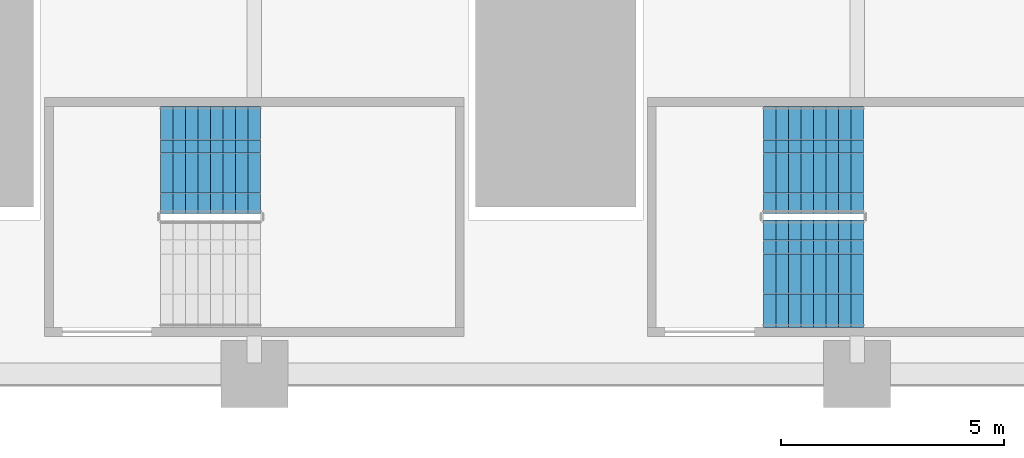
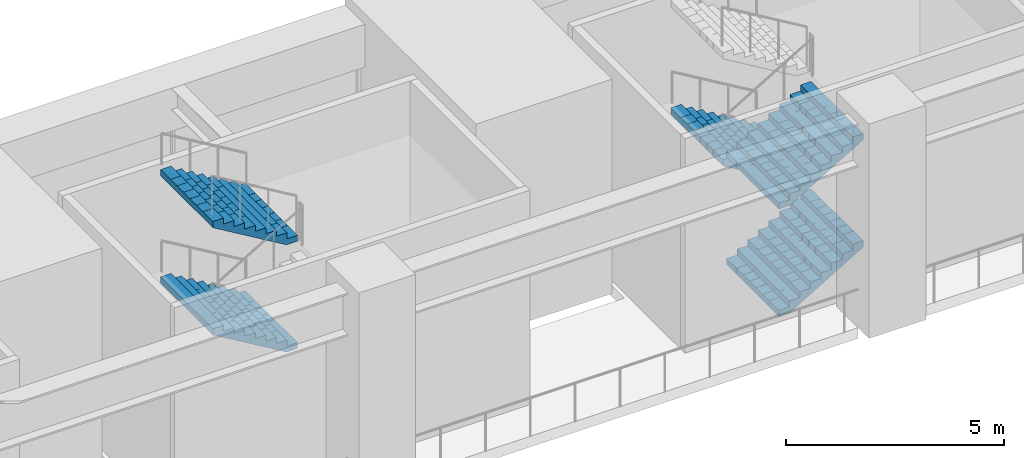
# One storey, part 33 of 43: 5 stair flights, 2 elements without a shape of their own.
"""IFC4 building model written with IfcOpenShell, lengths in metres."""

import ifcopenshell
import ifcopenshell.guid

model = None  # the IFC model being written
_history = None  # IfcOwnerHistory: only IFC2X3 demands one
_inside = {}  # id of a spatial element -> (the spatial element, [elements in it])
_under = {}  # id of a project, library or spatial element -> (it, [spatial elements below it])
_declared = {}  # id of a project -> (the project, [libraries it declares])
_typed = {}  # id of a type object -> (the type object, [elements of that type])
_made_of = {}  # id of a material, layer set ... -> (it, [elements and type objects made of it])


def new_model(schema):
    """Start an empty IFC model of exactly this schema.

    Asked for "IFC4X3", IfcOpenShell would pick the latest addendum, in which some entities
    have other attributes; the version numbers below select the first issue.
    IFC2X3 requires an IfcOwnerHistory on every rooted entity: one is made here for all.
    """
    global model, _history
    if schema == "IFC4X3":
        model = ifcopenshell.file(schema_version=(4, 3, 0, 0))
    else:
        model = ifcopenshell.file(schema=schema)
    _inside.clear()
    _under.clear()
    _declared.clear()
    _typed.clear()
    _made_of.clear()
    _history = None
    if model.schema == "IFC2X3":
        org = make("IfcOrganization", Name="unknown")
        user = make(
            "IfcPersonAndOrganization",
            ThePerson=make("IfcPerson", FamilyName="unknown"),
            TheOrganization=org,
        )
        app = make(
            "IfcApplication",
            ApplicationDeveloper=org,
            Version="unknown",
            ApplicationFullName="unknown",
            ApplicationIdentifier="unknown",
        )
        _history = make(
            "IfcOwnerHistory",
            OwningUser=user,
            OwningApplication=app,
            ChangeAction="ADDED",
            CreationDate=0,
        )
    return model


def make(cls, **values):
    """One entity of the class cls with the attributes given. An attribute that is None is left unset."""
    return model.create_entity(
        cls, **{name: value for name, value in values.items() if value is not None}
    )


def rooted(cls, **values):
    """An entity with a GlobalId (a new one), such as an element, a storey or a relation."""
    return make(cls, GlobalId=ifcopenshell.guid.new(), OwnerHistory=_history, **values)


def si_unit(unit_type, name, prefix=None):
    """IfcSIUnit, for example si_unit("LENGTHUNIT", "METRE", prefix="MILLI")."""
    return make("IfcSIUnit", UnitType=unit_type, Prefix=prefix, Name=name)


def assignment(units):
    """IfcUnitAssignment: the units of a project."""
    return None if units is None else make("IfcUnitAssignment", Units=units)


def point(xyz):
    """IfcCartesianPoint."""
    return None if xyz is None else make("IfcCartesianPoint", Coordinates=xyz)


def direction(xyz):
    """IfcDirection."""
    return None if xyz is None else make("IfcDirection", DirectionRatios=xyz)


def frame(location, z_axis=None, x_axis=None):
    """IfcAxis2Placement3D, a coordinate frame: its origin and axes. An axis left out is left unset."""
    return make(
        "IfcAxis2Placement3D",
        Location=point(location),
        Axis=direction(z_axis),
        RefDirection=direction(x_axis),
    )


def origin():
    """The frame at (0, 0, 0) with its axes left unset."""
    return frame((0.0, 0.0, 0.0))


def place(relative_to, where):
    """IfcLocalPlacement: puts the frame where relative to a parent placement (None: the world)."""
    return make(
        "IfcLocalPlacement", PlacementRelTo=relative_to, RelativePlacement=where
    )


def context(
    kind, dimensions, precision=None, world=None, true_north=None, identifier=None
):
    """IfcGeometricRepresentationContext, for example the 3D "Model" context."""
    return make(
        "IfcGeometricRepresentationContext",
        ContextIdentifier=identifier,
        ContextType=kind,
        CoordinateSpaceDimension=dimensions,
        Precision=precision,
        WorldCoordinateSystem=world,
        TrueNorth=true_north,
    )


def subcontext(parent, identifier, kind, view, scale=None):
    """IfcGeometricRepresentationSubContext, for example "Body" below "Model"."""
    return make(
        "IfcGeometricRepresentationSubContext",
        ContextIdentifier=identifier,
        ContextType=kind,
        ParentContext=parent,
        TargetScale=scale,
        TargetView=view,
    )


def project(units=None, contexts=None):
    """IfcProject with its units and contexts."""
    return rooted(
        "IfcProject",
        Name="project",
        RepresentationContexts=contexts,
        UnitsInContext=assignment(units),
    )


def spatial(cls, under=None, at=None, **own):
    """A site, building, storey or space (cls), placed at a placement, below another one or the project."""
    s = rooted(cls, ObjectPlacement=at, **own)
    if under is not None:
        _under.setdefault(under.id(), (under, []))[1].append(s)
    return s


def polyline(points):
    """IfcPolyline through the points."""
    return make("IfcPolyline", Points=[point(p) for p in points])


def outline(outer, holes=None, kind="AREA"):
    """IfcArbitraryClosedProfileDef: a profile drawn as a closed curve; with holes, ...WithVoids."""
    if holes is None:
        return make("IfcArbitraryClosedProfileDef", ProfileType=kind, OuterCurve=outer)
    return make(
        "IfcArbitraryProfileDefWithVoids",
        ProfileType=kind,
        OuterCurve=outer,
        InnerCurves=holes,
    )


def extrude(swept, where, along, depth):
    """IfcExtrudedAreaSolid: the profile swept, set in the frame where, extruded along a direction by depth."""
    return make(
        "IfcExtrudedAreaSolid",
        SweptArea=swept,
        Position=where,
        ExtrudedDirection=direction(along),
        Depth=depth,
    )


def shape(context_of_items, identifier, shape_type, items):
    """IfcShapeRepresentation: the items that make up one representation, for example the "Body"."""
    return make(
        "IfcShapeRepresentation",
        ContextOfItems=context_of_items,
        RepresentationIdentifier=identifier,
        RepresentationType=shape_type,
        Items=items,
    )


def material(Name=None, Category=None):
    """IfcMaterial."""
    return make("IfcMaterial", Name=Name, Category=Category)


def made_of(thing, what):
    """Note that an element or type object is made of a material, layer set ...; save() writes the relation."""
    if what is not None:
        _made_of.setdefault(what.id(), (what, []))[1].append(thing)
    return thing


def type_object(cls, material=None, **own):
    """A type object (cls), such as IfcWallType, which elements share."""
    return made_of(rooted(cls, **own), material)


def element(
    cls,
    number,
    at=None,
    inside=None,
    cuts=None,
    type_object=None,
    material=None,
    context=None,
    identifier="Body",
    shape_type=None,
    held_by="IfcProductDefinitionShape",
    body=None,
    shapes=None,
    **own,
):
    """One element of the class cls, such as IfcWall. Its Tag is "e" and its number.

    at: its placement. inside: the storey or other place that contains it. cuts: it is an
    opening in that element (IfcRelVoidsElement). A single representation is given by context,
    identifier, shape_type and body (its items); several are given by shapes. held_by: the class
    of the entity that holds the representations. save() writes the other relations.
    """
    e = rooted(cls, Tag="e%d" % number, ObjectPlacement=at, **own)
    if body is not None:
        shapes = [shape(context, identifier, shape_type, body)]
    if shapes is not None:
        e.Representation = make(held_by, Representations=shapes)
    if inside is not None:
        _inside.setdefault(inside.id(), (inside, []))[1].append(e)
    if cuts is not None:
        rooted(
            "IfcRelVoidsElement", RelatingBuildingElement=cuts, RelatedOpeningElement=e
        )
    if type_object is not None:
        _typed.setdefault(type_object.id(), (type_object, []))[1].append(e)
    return made_of(e, material)


def aggregate(whole, parts):
    """IfcRelAggregates: a whole, such as a stair, and the parts it consists of."""
    return rooted("IfcRelAggregates", RelatingObject=whole, RelatedObjects=parts)


def save(model, path):
    """Write the relations noted so far, then the file.

    IfcRelAggregates (storeys below a building ...), IfcRelContainedInSpatialStructure (elements
    in a storey), IfcRelDefinesByType, IfcRelAssociatesMaterial and IfcRelDeclares: one each for
    every whole, place, type object, material and project.
    """
    for whole, parts in _under.values():
        aggregate(whole, parts)
    for where, things in _inside.values():
        rooted(
            "IfcRelContainedInSpatialStructure",
            RelatedElements=things,
            RelatingStructure=where,
        )
    for kind, things in _typed.values():
        rooted("IfcRelDefinesByType", RelatedObjects=things, RelatingType=kind)
    for what, things in _made_of.values():
        rooted("IfcRelAssociatesMaterial", RelatedObjects=things, RelatingMaterial=what)
    for by, libraries in _declared.values():
        rooted("IfcRelDeclares", RelatingContext=by, RelatedDefinitions=libraries)
    model.write(path)


model = new_model("IFC4")

# Units and contexts
model_context = context("Model", 3, precision=1e-05, world=origin(), true_north=direction((0.0, 1.0)))
body_context = subcontext(model_context, "Body", "Model", "MODEL_VIEW")
ifc_project = project(units=[si_unit("LENGTHUNIT", "METRE"), si_unit("AREAUNIT", "SQUARE_METRE"), si_unit("VOLUMEUNIT", "CUBIC_METRE"), si_unit("PLANEANGLEUNIT", "RADIAN"), si_unit("MASSUNIT", "GRAM", prefix="KILO")], contexts=[model_context])

# Site, building, storey
site_placement = place(None, origin())
site = spatial("IfcSite", under=ifc_project, at=site_placement, CompositionType="ELEMENT")
building_placement = place(site_placement, origin())
building = spatial("IfcBuilding", under=site, at=building_placement, Name="Corbelhall Arena Tower", CompositionType="ELEMENT")
storey_placement = place(building_placement, frame((0.0, 0.0, 25.0)))
storey = spatial("IfcBuildingStorey", under=building, at=storey_placement, Name="L03", CompositionType="ELEMENT", Elevation=25.0)

# Stair, stair flights
ifc_material = material(Name="Reinforced concrete C40/50", Category="concrete")
stair_type = type_object("IfcStairType", Name="AR-EXIT-STAIR", PredefinedType="HALF_TURN_STAIR", material=ifc_material)
stair_1_placement = place(storey_placement, origin())
stair_1 = element("IfcStair", 1, at=stair_1_placement, inside=storey, type_object=stair_type, Name="L03 exit stair AS11", PredefinedType="HALF_TURN_STAIR")
stair_flight_type = type_object("IfcStairFlightType", Name="AR-EXIT-FLIGHT", PredefinedType="STRAIGHT", material=ifc_material)
stair_flight_1_placement = place(storey_placement, frame((6.889892578125, 34.050048828125, 1.5), z_axis=(0.0, 0.0, 1.0), x_axis=(-1.0, 0.0, 0.0)))
stair_flight_1 = element("IfcStairFlight", 2, at=stair_flight_1_placement, type_object=stair_flight_type, Name="AS11 flight 2", NumberOfRisers=9, NumberOfTreads=8, PredefinedType="STRAIGHT", RiserHeight=0.166666667, TreadLength=0.28, context=body_context, shape_type="SweptSolid", body=[
    extrude(outline(polyline([(0.0, 0.0), (0.0, 0.166748046875), (0.280029296875, 0.166748046875), (0.280029296875, 0.333251953125), (0.56005859375, 0.333251953125), (0.56005859375, 0.5), (0.840087890625, 0.5), (0.840087890625, 0.666748046875), (1.1201171875, 0.666748046875), (1.1201171875, 0.833251953125), (1.39990234375, 0.833251953125), (1.39990234375, 1.0), (1.679931640625, 1.0), (1.679931640625, 1.166748046875), (1.9599609375, 1.166748046875), (1.9599609375, 1.333251953125), (2.239990234375, 1.333251953125), (2.239990234375, 1.5), (2.239990234375, 1.158935546875), (0.29296875, 0.0), (0.0, 0.0)])), frame((0.0, 1.199951171875, 0.0), z_axis=(0.0, -1.0, 0.0), x_axis=(1.0, 0.0, 0.0)), (0.0, 0.0, 1.0), 0.449951171875),
    extrude(outline(polyline([(0.0, 0.0), (0.0, 0.166748046875), (0.280029296875, 0.166748046875), (0.280029296875, 0.333251953125), (0.56005859375, 0.333251953125), (0.56005859375, 0.5), (0.840087890625, 0.5), (0.840087890625, 0.666748046875), (1.1201171875, 0.666748046875), (1.1201171875, 0.833251953125), (1.39990234375, 0.833251953125), (1.39990234375, 1.0), (1.679931640625, 1.0), (1.679931640625, 1.166748046875), (1.9599609375, 1.166748046875), (1.9599609375, 1.333251953125), (2.239990234375, 1.333251953125), (2.239990234375, 1.5), (2.239990234375, 1.158935546875), (0.29296875, 0.0), (0.0, 0.0)])), frame((0.0, 0.745849609375, 0.0), z_axis=(0.0, -1.0, 0.0), x_axis=(1.0, 0.0, 0.0)), (0.0, 0.0, 1.0), 0.295166015625),
    extrude(outline(polyline([(0.0, 0.0), (0.0, 0.166748046875), (0.280029296875, 0.166748046875), (0.280029296875, 0.333251953125), (0.56005859375, 0.333251953125), (0.56005859375, 0.5), (0.840087890625, 0.5), (0.840087890625, 0.666748046875), (1.1201171875, 0.666748046875), (1.1201171875, 0.833251953125), (1.39990234375, 0.833251953125), (1.39990234375, 1.0), (1.679931640625, 1.0), (1.679931640625, 1.166748046875), (1.9599609375, 1.166748046875), (1.9599609375, 1.333251953125), (2.239990234375, 1.333251953125), (2.239990234375, 1.5), (2.239990234375, 1.158935546875), (0.29296875, 0.0), (0.0, 0.0)])), frame((0.0, 0.44677734375, 0.0), z_axis=(0.0, -1.0, 0.0), x_axis=(1.0, 0.0, 0.0)), (0.0, 0.0, 1.0), 0.295166015625),
    extrude(outline(polyline([(0.0, 0.0), (0.0, 0.166748046875), (0.280029296875, 0.166748046875), (0.280029296875, 0.333251953125), (0.56005859375, 0.333251953125), (0.56005859375, 0.5), (0.840087890625, 0.5), (0.840087890625, 0.666748046875), (1.1201171875, 0.666748046875), (1.1201171875, 0.833251953125), (1.39990234375, 0.833251953125), (1.39990234375, 1.0), (1.679931640625, 1.0), (1.679931640625, 1.166748046875), (1.9599609375, 1.166748046875), (1.9599609375, 1.333251953125), (2.239990234375, 1.333251953125), (2.239990234375, 1.5), (2.239990234375, 1.158935546875), (0.29296875, 0.0), (0.0, 0.0)])), frame((0.0, 0.147705078125, 0.0), z_axis=(0.0, -1.0, 0.0), x_axis=(1.0, 0.0, 0.0)), (0.0, 0.0, 1.0), 0.295166015625),
    extrude(outline(polyline([(0.0, 0.0), (0.0, 0.166748046875), (0.280029296875, 0.166748046875), (0.280029296875, 0.333251953125), (0.56005859375, 0.333251953125), (0.56005859375, 0.5), (0.840087890625, 0.5), (0.840087890625, 0.666748046875), (1.1201171875, 0.666748046875), (1.1201171875, 0.833251953125), (1.39990234375, 0.833251953125), (1.39990234375, 1.0), (1.679931640625, 1.0), (1.679931640625, 1.166748046875), (1.9599609375, 1.166748046875), (1.9599609375, 1.333251953125), (2.239990234375, 1.333251953125), (2.239990234375, 1.5), (2.239990234375, 1.158935546875), (0.29296875, 0.0), (0.0, 0.0)])), frame((0.0, -0.151611328125, 0.0), z_axis=(0.0, -1.0, 0.0), x_axis=(1.0, 0.0, 0.0)), (0.0, 0.0, 1.0), 0.295166015625),
    extrude(outline(polyline([(0.0, 0.0), (0.0, 0.166748046875), (0.280029296875, 0.166748046875), (0.280029296875, 0.333251953125), (0.56005859375, 0.333251953125), (0.56005859375, 0.5), (0.840087890625, 0.5), (0.840087890625, 0.666748046875), (1.1201171875, 0.666748046875), (1.1201171875, 0.833251953125), (1.39990234375, 0.833251953125), (1.39990234375, 1.0), (1.679931640625, 1.0), (1.679931640625, 1.166748046875), (1.9599609375, 1.166748046875), (1.9599609375, 1.333251953125), (2.239990234375, 1.333251953125), (2.239990234375, 1.5), (2.239990234375, 1.158935546875), (0.29296875, 0.0), (0.0, 0.0)])), frame((0.0, -0.45068359375, 0.0), z_axis=(0.0, -1.0, 0.0), x_axis=(1.0, 0.0, 0.0)), (0.0, 0.0, 1.0), 0.295166015625),
    extrude(outline(polyline([(0.0, 0.0), (0.0, 0.166748046875), (0.280029296875, 0.166748046875), (0.280029296875, 0.333251953125), (0.56005859375, 0.333251953125), (0.56005859375, 0.5), (0.840087890625, 0.5), (0.840087890625, 0.666748046875), (1.1201171875, 0.666748046875), (1.1201171875, 0.833251953125), (1.39990234375, 0.833251953125), (1.39990234375, 1.0), (1.679931640625, 1.0), (1.679931640625, 1.166748046875), (1.9599609375, 1.166748046875), (1.9599609375, 1.333251953125), (2.239990234375, 1.333251953125), (2.239990234375, 1.5), (2.239990234375, 1.158935546875), (0.29296875, 0.0), (0.0, 0.0)])), frame((0.0, -0.75, 0.0), z_axis=(0.0, -1.0, 0.0), x_axis=(1.0, 0.0, 0.0)), (0.0, 0.0, 1.0), 0.449951171875),
])
stair_flight_2_placement = place(storey_placement, frame((6.889892578125, 34.050048828125, 4.5), z_axis=(0.0, 0.0, 1.0), x_axis=(-1.0, 0.0, 0.0)))
stair_flight_2 = element("IfcStairFlight", 3, at=stair_flight_2_placement, type_object=stair_flight_type, Name="AS11 flight 4", NumberOfRisers=9, NumberOfTreads=8, PredefinedType="STRAIGHT", RiserHeight=0.166666667, TreadLength=0.28, context=body_context, shape_type="SweptSolid", body=[
    extrude(outline(polyline([(0.0, 0.0), (0.0, 0.166748046875), (0.280029296875, 0.166748046875), (0.280029296875, 0.333251953125), (0.56005859375, 0.333251953125), (0.56005859375, 0.5), (0.840087890625, 0.5), (0.840087890625, 0.666748046875), (1.1201171875, 0.666748046875), (1.1201171875, 0.833251953125), (1.39990234375, 0.833251953125), (1.39990234375, 1.0), (1.679931640625, 1.0), (1.679931640625, 1.166748046875), (1.9599609375, 1.166748046875), (1.9599609375, 1.333251953125), (2.239990234375, 1.333251953125), (2.239990234375, 1.5), (2.239990234375, 1.158935546875), (0.29296875, 0.0), (0.0, 0.0)])), frame((0.0, 1.199951171875, 0.0), z_axis=(0.0, -1.0, 0.0), x_axis=(1.0, 0.0, 0.0)), (0.0, 0.0, 1.0), 0.449951171875),
    extrude(outline(polyline([(0.0, 0.0), (0.0, 0.166748046875), (0.280029296875, 0.166748046875), (0.280029296875, 0.333251953125), (0.56005859375, 0.333251953125), (0.56005859375, 0.5), (0.840087890625, 0.5), (0.840087890625, 0.666748046875), (1.1201171875, 0.666748046875), (1.1201171875, 0.833251953125), (1.39990234375, 0.833251953125), (1.39990234375, 1.0), (1.679931640625, 1.0), (1.679931640625, 1.166748046875), (1.9599609375, 1.166748046875), (1.9599609375, 1.333251953125), (2.239990234375, 1.333251953125), (2.239990234375, 1.5), (2.239990234375, 1.158935546875), (0.29296875, 0.0), (0.0, 0.0)])), frame((0.0, 0.745849609375, 0.0), z_axis=(0.0, -1.0, 0.0), x_axis=(1.0, 0.0, 0.0)), (0.0, 0.0, 1.0), 0.295166015625),
    extrude(outline(polyline([(0.0, 0.0), (0.0, 0.166748046875), (0.280029296875, 0.166748046875), (0.280029296875, 0.333251953125), (0.56005859375, 0.333251953125), (0.56005859375, 0.5), (0.840087890625, 0.5), (0.840087890625, 0.666748046875), (1.1201171875, 0.666748046875), (1.1201171875, 0.833251953125), (1.39990234375, 0.833251953125), (1.39990234375, 1.0), (1.679931640625, 1.0), (1.679931640625, 1.166748046875), (1.9599609375, 1.166748046875), (1.9599609375, 1.333251953125), (2.239990234375, 1.333251953125), (2.239990234375, 1.5), (2.239990234375, 1.158935546875), (0.29296875, 0.0), (0.0, 0.0)])), frame((0.0, 0.44677734375, 0.0), z_axis=(0.0, -1.0, 0.0), x_axis=(1.0, 0.0, 0.0)), (0.0, 0.0, 1.0), 0.295166015625),
    extrude(outline(polyline([(0.0, 0.0), (0.0, 0.166748046875), (0.280029296875, 0.166748046875), (0.280029296875, 0.333251953125), (0.56005859375, 0.333251953125), (0.56005859375, 0.5), (0.840087890625, 0.5), (0.840087890625, 0.666748046875), (1.1201171875, 0.666748046875), (1.1201171875, 0.833251953125), (1.39990234375, 0.833251953125), (1.39990234375, 1.0), (1.679931640625, 1.0), (1.679931640625, 1.166748046875), (1.9599609375, 1.166748046875), (1.9599609375, 1.333251953125), (2.239990234375, 1.333251953125), (2.239990234375, 1.5), (2.239990234375, 1.158935546875), (0.29296875, 0.0), (0.0, 0.0)])), frame((0.0, 0.147705078125, 0.0), z_axis=(0.0, -1.0, 0.0), x_axis=(1.0, 0.0, 0.0)), (0.0, 0.0, 1.0), 0.295166015625),
    extrude(outline(polyline([(0.0, 0.0), (0.0, 0.166748046875), (0.280029296875, 0.166748046875), (0.280029296875, 0.333251953125), (0.56005859375, 0.333251953125), (0.56005859375, 0.5), (0.840087890625, 0.5), (0.840087890625, 0.666748046875), (1.1201171875, 0.666748046875), (1.1201171875, 0.833251953125), (1.39990234375, 0.833251953125), (1.39990234375, 1.0), (1.679931640625, 1.0), (1.679931640625, 1.166748046875), (1.9599609375, 1.166748046875), (1.9599609375, 1.333251953125), (2.239990234375, 1.333251953125), (2.239990234375, 1.5), (2.239990234375, 1.158935546875), (0.29296875, 0.0), (0.0, 0.0)])), frame((0.0, -0.151611328125, 0.0), z_axis=(0.0, -1.0, 0.0), x_axis=(1.0, 0.0, 0.0)), (0.0, 0.0, 1.0), 0.295166015625),
    extrude(outline(polyline([(0.0, 0.0), (0.0, 0.166748046875), (0.280029296875, 0.166748046875), (0.280029296875, 0.333251953125), (0.56005859375, 0.333251953125), (0.56005859375, 0.5), (0.840087890625, 0.5), (0.840087890625, 0.666748046875), (1.1201171875, 0.666748046875), (1.1201171875, 0.833251953125), (1.39990234375, 0.833251953125), (1.39990234375, 1.0), (1.679931640625, 1.0), (1.679931640625, 1.166748046875), (1.9599609375, 1.166748046875), (1.9599609375, 1.333251953125), (2.239990234375, 1.333251953125), (2.239990234375, 1.5), (2.239990234375, 1.158935546875), (0.29296875, 0.0), (0.0, 0.0)])), frame((0.0, -0.45068359375, 0.0), z_axis=(0.0, -1.0, 0.0), x_axis=(1.0, 0.0, 0.0)), (0.0, 0.0, 1.0), 0.295166015625),
    extrude(outline(polyline([(0.0, 0.0), (0.0, 0.166748046875), (0.280029296875, 0.166748046875), (0.280029296875, 0.333251953125), (0.56005859375, 0.333251953125), (0.56005859375, 0.5), (0.840087890625, 0.5), (0.840087890625, 0.666748046875), (1.1201171875, 0.666748046875), (1.1201171875, 0.833251953125), (1.39990234375, 0.833251953125), (1.39990234375, 1.0), (1.679931640625, 1.0), (1.679931640625, 1.166748046875), (1.9599609375, 1.166748046875), (1.9599609375, 1.333251953125), (2.239990234375, 1.333251953125), (2.239990234375, 1.5), (2.239990234375, 1.158935546875), (0.29296875, 0.0), (0.0, 0.0)])), frame((0.0, -0.75, 0.0), z_axis=(0.0, -1.0, 0.0), x_axis=(1.0, 0.0, 0.0)), (0.0, 0.0, 1.0), 0.449951171875),
])
aggregate(stair_1, [stair_flight_1, stair_flight_2])

stair_2_placement = place(storey_placement, origin())
stair_2 = element("IfcStair", 4, at=stair_2_placement, inside=storey, type_object=stair_type, Name="L03 exit stair AS12", PredefinedType="HALF_TURN_STAIR")
stair_flight_3_placement = place(storey_placement, frame((18.14990234375, 31.5, 0.0), z_axis=(0.0, 0.0, 1.0), x_axis=(1.0, 0.0, 0.0)))
stair_flight_3 = element("IfcStairFlight", 5, at=stair_flight_3_placement, type_object=stair_flight_type, Name="AS12 flight 1", NumberOfRisers=9, NumberOfTreads=8, PredefinedType="STRAIGHT", RiserHeight=0.166666667, TreadLength=0.28, context=body_context, shape_type="SweptSolid", body=[
    extrude(outline(polyline([(0.0, 0.0), (0.0, 0.166748046875), (0.280029296875, 0.166748046875), (0.280029296875, 0.333251953125), (0.56005859375, 0.333251953125), (0.56005859375, 0.5), (0.840087890625, 0.5), (0.840087890625, 0.666748046875), (1.1201171875, 0.666748046875), (1.1201171875, 0.833251953125), (1.39990234375, 0.833251953125), (1.39990234375, 1.0), (1.679931640625, 1.0), (1.679931640625, 1.166748046875), (1.9599609375, 1.166748046875), (1.9599609375, 1.333251953125), (2.239990234375, 1.333251953125), (2.239990234375, 1.5), (2.239990234375, 1.158935546875), (0.29296875, 0.0), (0.0, 0.0)])), frame((0.0, 1.199951171875, 0.0), z_axis=(0.0, -1.0, 0.0), x_axis=(1.0, 0.0, 0.0)), (0.0, 0.0, 1.0), 0.449951171875),
    extrude(outline(polyline([(0.0, 0.0), (0.0, 0.166748046875), (0.280029296875, 0.166748046875), (0.280029296875, 0.333251953125), (0.56005859375, 0.333251953125), (0.56005859375, 0.5), (0.840087890625, 0.5), (0.840087890625, 0.666748046875), (1.1201171875, 0.666748046875), (1.1201171875, 0.833251953125), (1.39990234375, 0.833251953125), (1.39990234375, 1.0), (1.679931640625, 1.0), (1.679931640625, 1.166748046875), (1.9599609375, 1.166748046875), (1.9599609375, 1.333251953125), (2.239990234375, 1.333251953125), (2.239990234375, 1.5), (2.239990234375, 1.158935546875), (0.29296875, 0.0), (0.0, 0.0)])), frame((0.0, 0.745849609375, 0.0), z_axis=(0.0, -1.0, 0.0), x_axis=(1.0, 0.0, 0.0)), (0.0, 0.0, 1.0), 0.295166015625),
    extrude(outline(polyline([(0.0, 0.0), (0.0, 0.166748046875), (0.280029296875, 0.166748046875), (0.280029296875, 0.333251953125), (0.56005859375, 0.333251953125), (0.56005859375, 0.5), (0.840087890625, 0.5), (0.840087890625, 0.666748046875), (1.1201171875, 0.666748046875), (1.1201171875, 0.833251953125), (1.39990234375, 0.833251953125), (1.39990234375, 1.0), (1.679931640625, 1.0), (1.679931640625, 1.166748046875), (1.9599609375, 1.166748046875), (1.9599609375, 1.333251953125), (2.239990234375, 1.333251953125), (2.239990234375, 1.5), (2.239990234375, 1.158935546875), (0.29296875, 0.0), (0.0, 0.0)])), frame((0.0, 0.44677734375, 0.0), z_axis=(0.0, -1.0, 0.0), x_axis=(1.0, 0.0, 0.0)), (0.0, 0.0, 1.0), 0.295166015625),
    extrude(outline(polyline([(0.0, 0.0), (0.0, 0.166748046875), (0.280029296875, 0.166748046875), (0.280029296875, 0.333251953125), (0.56005859375, 0.333251953125), (0.56005859375, 0.5), (0.840087890625, 0.5), (0.840087890625, 0.666748046875), (1.1201171875, 0.666748046875), (1.1201171875, 0.833251953125), (1.39990234375, 0.833251953125), (1.39990234375, 1.0), (1.679931640625, 1.0), (1.679931640625, 1.166748046875), (1.9599609375, 1.166748046875), (1.9599609375, 1.333251953125), (2.239990234375, 1.333251953125), (2.239990234375, 1.5), (2.239990234375, 1.158935546875), (0.29296875, 0.0), (0.0, 0.0)])), frame((0.0, 0.147705078125, 0.0), z_axis=(0.0, -1.0, 0.0), x_axis=(1.0, 0.0, 0.0)), (0.0, 0.0, 1.0), 0.295166015625),
    extrude(outline(polyline([(0.0, 0.0), (0.0, 0.166748046875), (0.280029296875, 0.166748046875), (0.280029296875, 0.333251953125), (0.56005859375, 0.333251953125), (0.56005859375, 0.5), (0.840087890625, 0.5), (0.840087890625, 0.666748046875), (1.1201171875, 0.666748046875), (1.1201171875, 0.833251953125), (1.39990234375, 0.833251953125), (1.39990234375, 1.0), (1.679931640625, 1.0), (1.679931640625, 1.166748046875), (1.9599609375, 1.166748046875), (1.9599609375, 1.333251953125), (2.239990234375, 1.333251953125), (2.239990234375, 1.5), (2.239990234375, 1.158935546875), (0.29296875, 0.0), (0.0, 0.0)])), frame((0.0, -0.151611328125, 0.0), z_axis=(0.0, -1.0, 0.0), x_axis=(1.0, 0.0, 0.0)), (0.0, 0.0, 1.0), 0.295166015625),
    extrude(outline(polyline([(0.0, 0.0), (0.0, 0.166748046875), (0.280029296875, 0.166748046875), (0.280029296875, 0.333251953125), (0.56005859375, 0.333251953125), (0.56005859375, 0.5), (0.840087890625, 0.5), (0.840087890625, 0.666748046875), (1.1201171875, 0.666748046875), (1.1201171875, 0.833251953125), (1.39990234375, 0.833251953125), (1.39990234375, 1.0), (1.679931640625, 1.0), (1.679931640625, 1.166748046875), (1.9599609375, 1.166748046875), (1.9599609375, 1.333251953125), (2.239990234375, 1.333251953125), (2.239990234375, 1.5), (2.239990234375, 1.158935546875), (0.29296875, 0.0), (0.0, 0.0)])), frame((0.0, -0.45068359375, 0.0), z_axis=(0.0, -1.0, 0.0), x_axis=(1.0, 0.0, 0.0)), (0.0, 0.0, 1.0), 0.295166015625),
    extrude(outline(polyline([(0.0, 0.0), (0.0, 0.166748046875), (0.280029296875, 0.166748046875), (0.280029296875, 0.333251953125), (0.56005859375, 0.333251953125), (0.56005859375, 0.5), (0.840087890625, 0.5), (0.840087890625, 0.666748046875), (1.1201171875, 0.666748046875), (1.1201171875, 0.833251953125), (1.39990234375, 0.833251953125), (1.39990234375, 1.0), (1.679931640625, 1.0), (1.679931640625, 1.166748046875), (1.9599609375, 1.166748046875), (1.9599609375, 1.333251953125), (2.239990234375, 1.333251953125), (2.239990234375, 1.5), (2.239990234375, 1.158935546875), (0.29296875, 0.0), (0.0, 0.0)])), frame((0.0, -0.75, 0.0), z_axis=(0.0, -1.0, 0.0), x_axis=(1.0, 0.0, 0.0)), (0.0, 0.0, 1.0), 0.449951171875),
])
stair_flight_4_placement = place(storey_placement, frame((20.389892578125, 34.050048828125, 1.5), z_axis=(0.0, 0.0, 1.0), x_axis=(-1.0, 0.0, 0.0)))
stair_flight_4 = element("IfcStairFlight", 6, at=stair_flight_4_placement, type_object=stair_flight_type, Name="AS12 flight 2", NumberOfRisers=9, NumberOfTreads=8, PredefinedType="STRAIGHT", RiserHeight=0.166666667, TreadLength=0.28, context=body_context, shape_type="SweptSolid", body=[
    extrude(outline(polyline([(0.0, 0.0), (0.0, 0.166748046875), (0.280029296875, 0.166748046875), (0.280029296875, 0.333251953125), (0.56005859375, 0.333251953125), (0.56005859375, 0.5), (0.840087890625, 0.5), (0.840087890625, 0.666748046875), (1.1201171875, 0.666748046875), (1.1201171875, 0.833251953125), (1.39990234375, 0.833251953125), (1.39990234375, 1.0), (1.679931640625, 1.0), (1.679931640625, 1.166748046875), (1.9599609375, 1.166748046875), (1.9599609375, 1.333251953125), (2.239990234375, 1.333251953125), (2.239990234375, 1.5), (2.239990234375, 1.158935546875), (0.29296875, 0.0), (0.0, 0.0)])), frame((0.0, 1.199951171875, 0.0), z_axis=(0.0, -1.0, 0.0), x_axis=(1.0, 0.0, 0.0)), (0.0, 0.0, 1.0), 0.449951171875),
    extrude(outline(polyline([(0.0, 0.0), (0.0, 0.166748046875), (0.280029296875, 0.166748046875), (0.280029296875, 0.333251953125), (0.56005859375, 0.333251953125), (0.56005859375, 0.5), (0.840087890625, 0.5), (0.840087890625, 0.666748046875), (1.1201171875, 0.666748046875), (1.1201171875, 0.833251953125), (1.39990234375, 0.833251953125), (1.39990234375, 1.0), (1.679931640625, 1.0), (1.679931640625, 1.166748046875), (1.9599609375, 1.166748046875), (1.9599609375, 1.333251953125), (2.239990234375, 1.333251953125), (2.239990234375, 1.5), (2.239990234375, 1.158935546875), (0.29296875, 0.0), (0.0, 0.0)])), frame((0.0, 0.745849609375, 0.0), z_axis=(0.0, -1.0, 0.0), x_axis=(1.0, 0.0, 0.0)), (0.0, 0.0, 1.0), 0.295166015625),
    extrude(outline(polyline([(0.0, 0.0), (0.0, 0.166748046875), (0.280029296875, 0.166748046875), (0.280029296875, 0.333251953125), (0.56005859375, 0.333251953125), (0.56005859375, 0.5), (0.840087890625, 0.5), (0.840087890625, 0.666748046875), (1.1201171875, 0.666748046875), (1.1201171875, 0.833251953125), (1.39990234375, 0.833251953125), (1.39990234375, 1.0), (1.679931640625, 1.0), (1.679931640625, 1.166748046875), (1.9599609375, 1.166748046875), (1.9599609375, 1.333251953125), (2.239990234375, 1.333251953125), (2.239990234375, 1.5), (2.239990234375, 1.158935546875), (0.29296875, 0.0), (0.0, 0.0)])), frame((0.0, 0.44677734375, 0.0), z_axis=(0.0, -1.0, 0.0), x_axis=(1.0, 0.0, 0.0)), (0.0, 0.0, 1.0), 0.295166015625),
    extrude(outline(polyline([(0.0, 0.0), (0.0, 0.166748046875), (0.280029296875, 0.166748046875), (0.280029296875, 0.333251953125), (0.56005859375, 0.333251953125), (0.56005859375, 0.5), (0.840087890625, 0.5), (0.840087890625, 0.666748046875), (1.1201171875, 0.666748046875), (1.1201171875, 0.833251953125), (1.39990234375, 0.833251953125), (1.39990234375, 1.0), (1.679931640625, 1.0), (1.679931640625, 1.166748046875), (1.9599609375, 1.166748046875), (1.9599609375, 1.333251953125), (2.239990234375, 1.333251953125), (2.239990234375, 1.5), (2.239990234375, 1.158935546875), (0.29296875, 0.0), (0.0, 0.0)])), frame((0.0, 0.147705078125, 0.0), z_axis=(0.0, -1.0, 0.0), x_axis=(1.0, 0.0, 0.0)), (0.0, 0.0, 1.0), 0.295166015625),
    extrude(outline(polyline([(0.0, 0.0), (0.0, 0.166748046875), (0.280029296875, 0.166748046875), (0.280029296875, 0.333251953125), (0.56005859375, 0.333251953125), (0.56005859375, 0.5), (0.840087890625, 0.5), (0.840087890625, 0.666748046875), (1.1201171875, 0.666748046875), (1.1201171875, 0.833251953125), (1.39990234375, 0.833251953125), (1.39990234375, 1.0), (1.679931640625, 1.0), (1.679931640625, 1.166748046875), (1.9599609375, 1.166748046875), (1.9599609375, 1.333251953125), (2.239990234375, 1.333251953125), (2.239990234375, 1.5), (2.239990234375, 1.158935546875), (0.29296875, 0.0), (0.0, 0.0)])), frame((0.0, -0.151611328125, 0.0), z_axis=(0.0, -1.0, 0.0), x_axis=(1.0, 0.0, 0.0)), (0.0, 0.0, 1.0), 0.295166015625),
    extrude(outline(polyline([(0.0, 0.0), (0.0, 0.166748046875), (0.280029296875, 0.166748046875), (0.280029296875, 0.333251953125), (0.56005859375, 0.333251953125), (0.56005859375, 0.5), (0.840087890625, 0.5), (0.840087890625, 0.666748046875), (1.1201171875, 0.666748046875), (1.1201171875, 0.833251953125), (1.39990234375, 0.833251953125), (1.39990234375, 1.0), (1.679931640625, 1.0), (1.679931640625, 1.166748046875), (1.9599609375, 1.166748046875), (1.9599609375, 1.333251953125), (2.239990234375, 1.333251953125), (2.239990234375, 1.5), (2.239990234375, 1.158935546875), (0.29296875, 0.0), (0.0, 0.0)])), frame((0.0, -0.45068359375, 0.0), z_axis=(0.0, -1.0, 0.0), x_axis=(1.0, 0.0, 0.0)), (0.0, 0.0, 1.0), 0.295166015625),
    extrude(outline(polyline([(0.0, 0.0), (0.0, 0.166748046875), (0.280029296875, 0.166748046875), (0.280029296875, 0.333251953125), (0.56005859375, 0.333251953125), (0.56005859375, 0.5), (0.840087890625, 0.5), (0.840087890625, 0.666748046875), (1.1201171875, 0.666748046875), (1.1201171875, 0.833251953125), (1.39990234375, 0.833251953125), (1.39990234375, 1.0), (1.679931640625, 1.0), (1.679931640625, 1.166748046875), (1.9599609375, 1.166748046875), (1.9599609375, 1.333251953125), (2.239990234375, 1.333251953125), (2.239990234375, 1.5), (2.239990234375, 1.158935546875), (0.29296875, 0.0), (0.0, 0.0)])), frame((0.0, -0.75, 0.0), z_axis=(0.0, -1.0, 0.0), x_axis=(1.0, 0.0, 0.0)), (0.0, 0.0, 1.0), 0.449951171875),
])
stair_flight_5_placement = place(storey_placement, frame((18.14990234375, 31.5, 3.0), z_axis=(0.0, 0.0, 1.0), x_axis=(1.0, 0.0, 0.0)))
stair_flight_5 = element("IfcStairFlight", 7, at=stair_flight_5_placement, type_object=stair_flight_type, Name="AS12 flight 3", NumberOfRisers=9, NumberOfTreads=8, PredefinedType="STRAIGHT", RiserHeight=0.166666667, TreadLength=0.28, context=body_context, shape_type="SweptSolid", body=[
    extrude(outline(polyline([(0.0, 0.0), (0.0, 0.166748046875), (0.280029296875, 0.166748046875), (0.280029296875, 0.333251953125), (0.56005859375, 0.333251953125), (0.56005859375, 0.5), (0.840087890625, 0.5), (0.840087890625, 0.666748046875), (1.1201171875, 0.666748046875), (1.1201171875, 0.833251953125), (1.39990234375, 0.833251953125), (1.39990234375, 1.0), (1.679931640625, 1.0), (1.679931640625, 1.166748046875), (1.9599609375, 1.166748046875), (1.9599609375, 1.333251953125), (2.239990234375, 1.333251953125), (2.239990234375, 1.5), (2.239990234375, 1.158935546875), (0.29296875, 0.0), (0.0, 0.0)])), frame((0.0, 1.199951171875, 0.0), z_axis=(0.0, -1.0, 0.0), x_axis=(1.0, 0.0, 0.0)), (0.0, 0.0, 1.0), 0.449951171875),
    extrude(outline(polyline([(0.0, 0.0), (0.0, 0.166748046875), (0.280029296875, 0.166748046875), (0.280029296875, 0.333251953125), (0.56005859375, 0.333251953125), (0.56005859375, 0.5), (0.840087890625, 0.5), (0.840087890625, 0.666748046875), (1.1201171875, 0.666748046875), (1.1201171875, 0.833251953125), (1.39990234375, 0.833251953125), (1.39990234375, 1.0), (1.679931640625, 1.0), (1.679931640625, 1.166748046875), (1.9599609375, 1.166748046875), (1.9599609375, 1.333251953125), (2.239990234375, 1.333251953125), (2.239990234375, 1.5), (2.239990234375, 1.158935546875), (0.29296875, 0.0), (0.0, 0.0)])), frame((0.0, 0.745849609375, 0.0), z_axis=(0.0, -1.0, 0.0), x_axis=(1.0, 0.0, 0.0)), (0.0, 0.0, 1.0), 0.295166015625),
    extrude(outline(polyline([(0.0, 0.0), (0.0, 0.166748046875), (0.280029296875, 0.166748046875), (0.280029296875, 0.333251953125), (0.56005859375, 0.333251953125), (0.56005859375, 0.5), (0.840087890625, 0.5), (0.840087890625, 0.666748046875), (1.1201171875, 0.666748046875), (1.1201171875, 0.833251953125), (1.39990234375, 0.833251953125), (1.39990234375, 1.0), (1.679931640625, 1.0), (1.679931640625, 1.166748046875), (1.9599609375, 1.166748046875), (1.9599609375, 1.333251953125), (2.239990234375, 1.333251953125), (2.239990234375, 1.5), (2.239990234375, 1.158935546875), (0.29296875, 0.0), (0.0, 0.0)])), frame((0.0, 0.44677734375, 0.0), z_axis=(0.0, -1.0, 0.0), x_axis=(1.0, 0.0, 0.0)), (0.0, 0.0, 1.0), 0.295166015625),
    extrude(outline(polyline([(0.0, 0.0), (0.0, 0.166748046875), (0.280029296875, 0.166748046875), (0.280029296875, 0.333251953125), (0.56005859375, 0.333251953125), (0.56005859375, 0.5), (0.840087890625, 0.5), (0.840087890625, 0.666748046875), (1.1201171875, 0.666748046875), (1.1201171875, 0.833251953125), (1.39990234375, 0.833251953125), (1.39990234375, 1.0), (1.679931640625, 1.0), (1.679931640625, 1.166748046875), (1.9599609375, 1.166748046875), (1.9599609375, 1.333251953125), (2.239990234375, 1.333251953125), (2.239990234375, 1.5), (2.239990234375, 1.158935546875), (0.29296875, 0.0), (0.0, 0.0)])), frame((0.0, 0.147705078125, 0.0), z_axis=(0.0, -1.0, 0.0), x_axis=(1.0, 0.0, 0.0)), (0.0, 0.0, 1.0), 0.295166015625),
    extrude(outline(polyline([(0.0, 0.0), (0.0, 0.166748046875), (0.280029296875, 0.166748046875), (0.280029296875, 0.333251953125), (0.56005859375, 0.333251953125), (0.56005859375, 0.5), (0.840087890625, 0.5), (0.840087890625, 0.666748046875), (1.1201171875, 0.666748046875), (1.1201171875, 0.833251953125), (1.39990234375, 0.833251953125), (1.39990234375, 1.0), (1.679931640625, 1.0), (1.679931640625, 1.166748046875), (1.9599609375, 1.166748046875), (1.9599609375, 1.333251953125), (2.239990234375, 1.333251953125), (2.239990234375, 1.5), (2.239990234375, 1.158935546875), (0.29296875, 0.0), (0.0, 0.0)])), frame((0.0, -0.151611328125, 0.0), z_axis=(0.0, -1.0, 0.0), x_axis=(1.0, 0.0, 0.0)), (0.0, 0.0, 1.0), 0.295166015625),
    extrude(outline(polyline([(0.0, 0.0), (0.0, 0.166748046875), (0.280029296875, 0.166748046875), (0.280029296875, 0.333251953125), (0.56005859375, 0.333251953125), (0.56005859375, 0.5), (0.840087890625, 0.5), (0.840087890625, 0.666748046875), (1.1201171875, 0.666748046875), (1.1201171875, 0.833251953125), (1.39990234375, 0.833251953125), (1.39990234375, 1.0), (1.679931640625, 1.0), (1.679931640625, 1.166748046875), (1.9599609375, 1.166748046875), (1.9599609375, 1.333251953125), (2.239990234375, 1.333251953125), (2.239990234375, 1.5), (2.239990234375, 1.158935546875), (0.29296875, 0.0), (0.0, 0.0)])), frame((0.0, -0.45068359375, 0.0), z_axis=(0.0, -1.0, 0.0), x_axis=(1.0, 0.0, 0.0)), (0.0, 0.0, 1.0), 0.295166015625),
    extrude(outline(polyline([(0.0, 0.0), (0.0, 0.166748046875), (0.280029296875, 0.166748046875), (0.280029296875, 0.333251953125), (0.56005859375, 0.333251953125), (0.56005859375, 0.5), (0.840087890625, 0.5), (0.840087890625, 0.666748046875), (1.1201171875, 0.666748046875), (1.1201171875, 0.833251953125), (1.39990234375, 0.833251953125), (1.39990234375, 1.0), (1.679931640625, 1.0), (1.679931640625, 1.166748046875), (1.9599609375, 1.166748046875), (1.9599609375, 1.333251953125), (2.239990234375, 1.333251953125), (2.239990234375, 1.5), (2.239990234375, 1.158935546875), (0.29296875, 0.0), (0.0, 0.0)])), frame((0.0, -0.75, 0.0), z_axis=(0.0, -1.0, 0.0), x_axis=(1.0, 0.0, 0.0)), (0.0, 0.0, 1.0), 0.449951171875),
])
aggregate(stair_2, [stair_flight_3, stair_flight_4, stair_flight_5])

save(model, "model.ifc")
